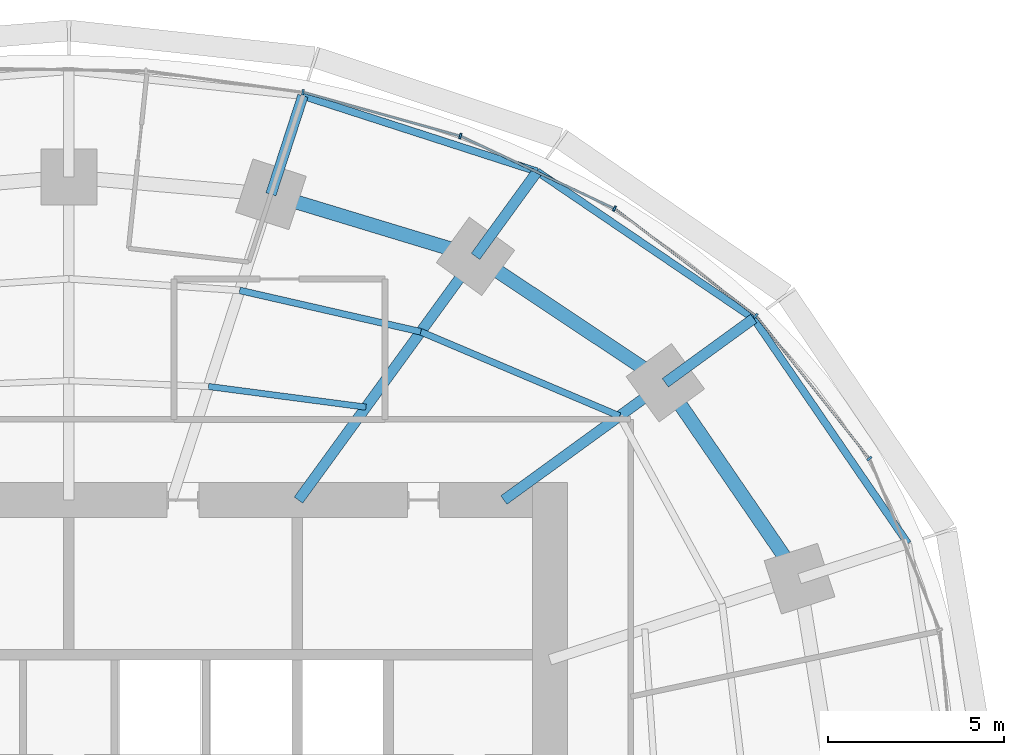
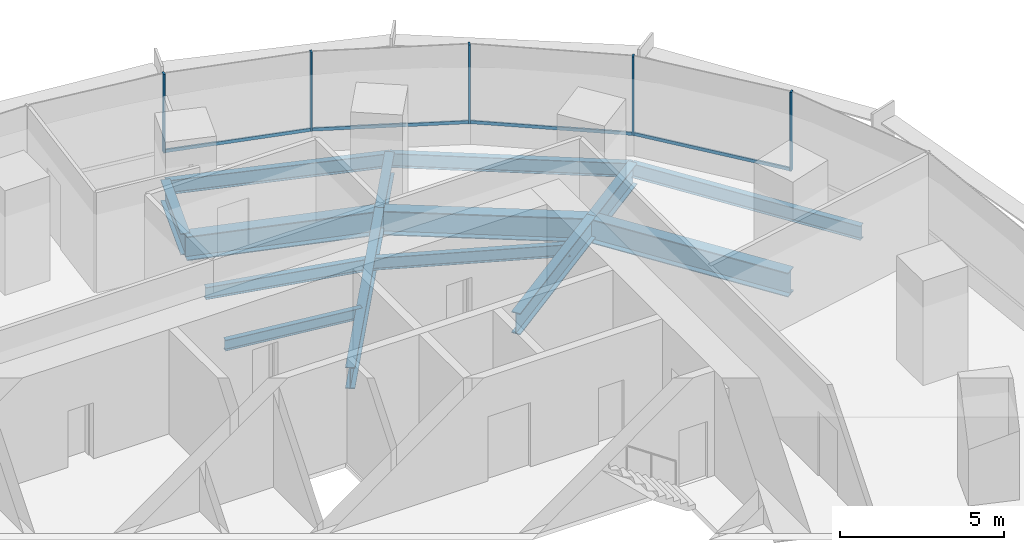
# One storey, part 8 of 14: 14 beams, 9 members, 2 elements without a shape of their own.
"""IFC4 building model written with IfcOpenShell, lengths in metres."""

from ifc_helpers import new_model, si_unit, direction, frame, origin, origin_2d, place, context, subcontext, project, spatial, rectangle, i_section, extrude, material, material_profile, profile_set, type_object, element, aggregate, save


model = new_model("IFC4")

# Units and contexts
model_context = context("Model", 3, precision=1e-05, world=origin(), true_north=direction((0.0, 1.0)))
body_context = subcontext(model_context, "Body", "Model", "MODEL_VIEW")
ifc_project = project(units=[si_unit("LENGTHUNIT", "METRE"), si_unit("AREAUNIT", "SQUARE_METRE"), si_unit("VOLUMEUNIT", "CUBIC_METRE"), si_unit("PLANEANGLEUNIT", "RADIAN"), si_unit("MASSUNIT", "GRAM", prefix="KILO")], contexts=[model_context])

# Site, building, storey
site_placement = place(None, origin())
site = spatial("IfcSite", under=ifc_project, at=site_placement, CompositionType="ELEMENT")
building_placement = place(site_placement, origin())
building = spatial("IfcBuilding", under=site, at=building_placement, Name="Marramba Exchange Tower", CompositionType="ELEMENT")
storey_placement = place(building_placement, frame((0.0, 0.0, 111.89990234375)))
storey = spatial("IfcBuildingStorey", under=building, at=storey_placement, Name="L26", CompositionType="ELEMENT", Elevation=111.89990234375)

# Beams
ifc_material_1 = material(Name="Steel AS/NZS 3679.2 grade 300", Category="steel")
ifc_material_profile_1 = material_profile(ifc_material_1, i_section(OverallWidth=0.300048828125, OverallDepth=0.800048828125, WebThickness=0.013916015625, FlangeThickness=0.031982421875, at=origin_2d()), Name="800WB192")
ifc_profile_set_1 = profile_set([ifc_material_profile_1], Name="Steel AS/NZS 3679.2 grade 300")
beam_type_1 = type_object("IfcBeamType", Name="Cantilever girder 800WB192", PredefinedType="BEAM", material=ifc_profile_set_1)
beam_1_placement = place(storey_placement, frame((16.98583984375, 12.3408203125, -0.559814453125), z_axis=(0.809013970709, 0.58778941399, 0.0), x_axis=(-0.58778941399, 0.809013970709, 0.0)))
element("IfcBeam", 1, at=beam_1_placement, inside=storey, type_object=beam_type_1, Name="Cantilever girder L26 TC03", PredefinedType="BEAM", context=body_context, shape_type="SweptSolid", body=[
    extrude(i_section(OverallWidth=0.300048828125, OverallDepth=0.800048828125, WebThickness=0.013916015625, FlangeThickness=0.031982421875, at=origin_2d()), origin(), (0.0, 0.0, 1.0), 3.1142578125),
])
beam_2_placement = place(storey_placement, frame((11.581298828125, 15.9404296875, -0.559814453125), z_axis=(0.587821738214, 0.808990484544, 0.0), x_axis=(-0.808990484544, 0.587821738214, 0.0)))
element("IfcBeam", 2, at=beam_2_placement, inside=storey, type_object=beam_type_1, Name="Cantilever girder L26 TC04", PredefinedType="BEAM", context=body_context, shape_type="SweptSolid", body=[
    extrude(i_section(OverallWidth=0.300048828125, OverallDepth=0.800048828125, WebThickness=0.013916015625, FlangeThickness=0.031982421875, at=origin_2d()), origin(), (0.0, 0.0, 1.0), 2.987060546875),
])
beam_3_placement = place(storey_placement, frame((5.75390625, 17.70849609375, -0.559814453125), z_axis=(0.309018704887, 0.951055960514, 0.0), x_axis=(-0.951055960514, 0.309018704887, 0.0)))
element("IfcBeam", 3, at=beam_3_placement, inside=storey, type_object=beam_type_1, Name="Cantilever girder L26 TC05", PredefinedType="BEAM", context=body_context, shape_type="SweptSolid", body=[
    extrude(i_section(OverallWidth=0.300048828125, OverallDepth=0.800048828125, WebThickness=0.013916015625, FlangeThickness=0.031982421875, at=origin_2d()), origin(), (0.0, 0.0, 1.0), 2.949951171875),
])
ifc_material_2 = material(Name="Steel AS/NZS 3679.1 grade 300", Category="steel")
ifc_material_profile_2 = material_profile(ifc_material_2, i_section(OverallWidth=0.177978515625, OverallDepth=0.406005859375, WebThickness=0.0078125, FlangeThickness=0.0126953125, FilletRadius=0.011474609375, at=origin_2d()), Name="410UB59.7")
ifc_profile_set_2 = profile_set([ifc_material_profile_2], Name="Steel AS/NZS 3679.1 grade 300")
beam_type_2 = type_object("IfcBeamType", Name="Floor joist 410UB59.7", PredefinedType="JOIST", material=ifc_profile_set_2)
beam_4_placement = place(storey_placement, frame((8.4619140625, 11.646728515625, -0.36279296875), z_axis=(-0.991480538255, 0.130254912618, 0.0), x_axis=(-0.130254912618, -0.991480538255, 0.0)))
element("IfcBeam", 4, at=beam_4_placement, inside=storey, type_object=beam_type_2, Name="Joist L26 bay 04 row 1", PredefinedType="JOIST", context=body_context, shape_type="SweptSolid", body=[
    extrude(i_section(OverallWidth=0.177978515625, OverallDepth=0.406005859375, WebThickness=0.0078125, FlangeThickness=0.0126953125, FilletRadius=0.011474609375, at=origin_2d()), origin(), (0.0, 0.0, 1.0), 4.524658203125),
])
ifc_material_profile_3 = material_profile(ifc_material_2, i_section(OverallWidth=0.18994140625, OverallDepth=0.4541015625, WebThickness=0.008544921875, FlangeThickness=0.0126953125, FilletRadius=0.011474609375, at=origin_2d()), Name="460UB67.1")
ifc_profile_set_3 = profile_set([ifc_material_profile_3], Name="Steel AS/NZS 3679.1 grade 300")
beam_type_3 = type_object("IfcBeamType", Name="Floor joist 460UB67.1", PredefinedType="JOIST", material=ifc_profile_set_3)
beam_5_placement = place(storey_placement, frame((15.682373046875, 11.393798828125, -0.386962890625), z_axis=(-0.920674336375, 0.390331610738, 0.0), x_axis=(-0.390331610738, -0.920674336375, 0.0)))
element("IfcBeam", 5, at=beam_5_placement, inside=storey, type_object=beam_type_3, Name="Joist L26 bay 03 row 2", PredefinedType="JOIST", context=body_context, shape_type="SweptSolid", body=[
    extrude(i_section(OverallWidth=0.18994140625, OverallDepth=0.4541015625, WebThickness=0.008544921875, FlangeThickness=0.0126953125, FilletRadius=0.011474609375, at=origin_2d()), origin(), (0.0, 0.0, 1.0), 6.1484375),
])
beam_6_placement = place(storey_placement, frame((10.021728515625, 13.793701171875, -0.386962890625), z_axis=(-0.974859652292, 0.222819788916, 0.0), x_axis=(-0.222819788916, -0.974859652292, 0.0)))
element("IfcBeam", 6, at=beam_6_placement, inside=storey, type_object=beam_type_3, Name="Joist L26 bay 04 row 2", PredefinedType="JOIST", context=body_context, shape_type="SweptSolid", body=[
    extrude(i_section(OverallWidth=0.18994140625, OverallDepth=0.4541015625, WebThickness=0.008544921875, FlangeThickness=0.0126953125, FilletRadius=0.011474609375, at=origin_2d()), origin(), (0.0, 0.0, 1.0), 5.2900390625),
])

# Curtain wall, members
ifc_material_3 = material(Name="Aluminium framing, bronze anodised", Category="aluminium")
curtain_wall_type = type_object("IfcCurtainWallType", Name="Office ribbon curtain wall", PredefinedType="USERDEFINED", material=ifc_material_3)
curtain_wall_1_placement = place(storey_placement, origin())
curtain_wall_1 = element("IfcCurtainWall", 7, at=curtain_wall_1_placement, inside=storey, type_object=curtain_wall_type, Name="Curtain wall CW4 L26 F01-F05", ObjectType="RIBBON CURTAIN WALL", PredefinedType="USERDEFINED")
ifc_material_4 = material(Name="Aluminium mullion, bronze anodised", Category="aluminium")
ifc_material_profile_4 = material_profile(ifc_material_4, rectangle(XDim=0.159912109375, YDim=0.06005859375, at=origin_2d()), Name="CW4 mullion 60x160")
ifc_profile_set_4 = profile_set([ifc_material_profile_4], Name="Aluminium mullion, bronze anodised")
member_type_1 = type_object("IfcMemberType", Name="Office ribbon curtain wall mullion", PredefinedType="MULLION", material=ifc_profile_set_4)
member_1_placement = place(storey_placement, frame((22.796630859375, 10.181640625, 0.800048828125), z_axis=(0.0, 0.0, 1.0), x_axis=(-0.783563266703, -0.621312004611, 0.0)))
member_1 = element("IfcMember", 8, at=member_1_placement, type_object=member_type_1, Name="CW4 mullion 1", PredefinedType="MULLION", context=body_context, shape_type="SweptSolid", body=[
    extrude(rectangle(XDim=0.159912109375, YDim=0.06005859375, at=origin_2d()), origin(), (0.0, 0.0, 1.0), 2.93994140625),
])
member_2_placement = place(storey_placement, frame((19.5625, 14.24853515625, 0.800048828125), z_axis=(0.0, 0.0, 1.0), x_axis=(-0.60533377223, -0.795971748366, 0.0)))
member_2 = element("IfcMember", 9, at=member_2_placement, type_object=member_type_1, Name="CW4 mullion 1", PredefinedType="MULLION", context=body_context, shape_type="SweptSolid", body=[
    extrude(rectangle(XDim=0.159912109375, YDim=0.06005859375, at=origin_2d()), origin(), (0.0, 0.0, 1.0), 2.93994140625),
])
member_3_placement = place(storey_placement, frame((15.538818359375, 17.300537109375, 0.800048828125), z_axis=(0.0, 0.0, 1.0), x_axis=(-0.426678995157, -0.904403137485, 0.0)))
member_3 = element("IfcMember", 10, at=member_3_placement, type_object=member_type_1, Name="CW4 mullion 1", PredefinedType="MULLION", context=body_context, shape_type="SweptSolid", body=[
    extrude(rectangle(XDim=0.159912109375, YDim=0.06005859375, at=origin_2d()), origin(), (0.0, 0.0, 1.0), 2.93994140625),
])

curtain_wall_2_placement = place(storey_placement, origin())
curtain_wall_2 = element("IfcCurtainWall", 11, at=curtain_wall_2_placement, inside=storey, type_object=curtain_wall_type, Name="Curtain wall CW4 L26 F06-F10", ObjectType="RIBBON CURTAIN WALL", PredefinedType="USERDEFINED")
member_4_placement = place(storey_placement, frame((11.147705078125, 19.366455078125, 0.800048828125), z_axis=(0.0, 0.0, 1.0), x_axis=(-0.268865090816, -0.963177845956, 0.0)))
member_4 = element("IfcMember", 12, at=member_4_placement, type_object=member_type_1, Name="CW4 mullion 1", PredefinedType="MULLION", context=body_context, shape_type="SweptSolid", body=[
    extrude(rectangle(XDim=0.159912109375, YDim=0.06005859375, at=origin_2d()), origin(), (0.0, 0.0, 1.0), 2.93994140625),
])
member_5_placement = place(storey_placement, frame((6.66650390625, 20.61328125, 0.800048828125), z_axis=(0.0, 0.0, 1.0), x_axis=(-0.135785837319, -0.990738212841, 0.0)))
member_5 = element("IfcMember", 13, at=member_5_placement, type_object=member_type_1, Name="CW4 mullion 1", PredefinedType="MULLION", context=body_context, shape_type="SweptSolid", body=[
    extrude(rectangle(XDim=0.159912109375, YDim=0.06005859375, at=origin_2d()), origin(), (0.0, 0.0, 1.0), 2.93994140625),
])

# Member
ifc_material_5 = material(Name="Aluminium transom, bronze anodised", Category="aluminium")
ifc_material_profile_5 = material_profile(ifc_material_5, rectangle(XDim=0.06005859375, YDim=0.1201171875, at=origin_2d()), Name="CW4 transom 60x120")
ifc_profile_set_5 = profile_set([ifc_material_profile_5], Name="Aluminium transom, bronze anodised")
member_type_2 = type_object("IfcMemberType", Name="Office ribbon curtain wall transom", PredefinedType="USERDEFINED", material=ifc_profile_set_5)
member_6_placement = place(storey_placement, frame((22.778076171875, 10.205078125, 0.830078125), z_axis=(-0.621339379472, 0.783541559534, 0.0), x_axis=(-0.783541559534, -0.621339379472, 0.0)))
member_6 = element("IfcMember", 14, at=member_6_placement, type_object=member_type_2, Name="CW4 sill transom", ObjectType="TRANSOM", PredefinedType="USERDEFINED", context=body_context, shape_type="SweptSolid", body=[
    extrude(rectangle(XDim=0.06005859375, YDim=0.1201171875, at=origin_2d()), origin(), (0.0, 0.0, 1.0), 5.13720703125),
])

member_7_placement = place(storey_placement, frame((19.53857421875, 14.2666015625, 0.830078125), z_axis=(-0.7959906025, 0.605308979556, 0.0), x_axis=(-0.605308979556, -0.7959906025, 0.0)))
member_7 = element("IfcMember", 15, at=member_7_placement, type_object=member_type_2, Name="CW4 sill transom", ObjectType="TRANSOM", PredefinedType="USERDEFINED", context=body_context, shape_type="SweptSolid", body=[
    extrude(rectangle(XDim=0.06005859375, YDim=0.1201171875, at=origin_2d()), origin(), (0.0, 0.0, 1.0), 4.99072265625),
])

member_8_placement = place(storey_placement, frame((15.51171875, 17.313232421875, 0.830078125), z_axis=(-0.904410826824, 0.426662696193, 0.0), x_axis=(-0.426662696193, -0.904410826824, 0.0)))
member_8 = element("IfcMember", 16, at=member_8_placement, type_object=member_type_2, Name="CW4 sill transom", ObjectType="TRANSOM", PredefinedType="USERDEFINED", context=body_context, shape_type="SweptSolid", body=[
    extrude(rectangle(XDim=0.06005859375, YDim=0.1201171875, at=origin_2d()), origin(), (0.0, 0.0, 1.0), 4.79345703125),
])

aggregate(curtain_wall_1, [member_1, member_6, member_2, member_7, member_3, member_8])

member_9_placement = place(storey_placement, frame((11.118896484375, 19.37451171875, 0.830078125), z_axis=(-0.963173567938, 0.268880415847, 0.0), x_axis=(-0.268880415847, -0.963173567938, 0.0)))
member_9 = element("IfcMember", 17, at=member_9_placement, type_object=member_type_2, Name="CW4 sill transom", ObjectType="TRANSOM", PredefinedType="USERDEFINED", context=body_context, shape_type="SweptSolid", body=[
    extrude(rectangle(XDim=0.06005859375, YDim=0.1201171875, at=origin_2d()), origin(), (0.0, 0.0, 1.0), 4.591796875),
])

aggregate(curtain_wall_2, [member_4, member_9, member_5])

# Beams
ifc_material_profile_6 = material_profile(ifc_material_1, i_section(OverallWidth=0.300048828125, OverallDepth=0.800048828125, WebThickness=0.013916015625, FlangeThickness=0.031982421875, at=origin_2d()), Name="800WB192")
ifc_profile_set_6 = profile_set([ifc_material_profile_6], Name="Steel AS/NZS 3679.2 grade 300")
beam_type_4 = type_object("IfcBeamType", Name="Radial girder 800WB192", PredefinedType="BEAM", material=ifc_profile_set_6)
beam_7_placement = place(storey_placement, frame((12.387451171875, 9.0, -0.559814453125), z_axis=(0.809025746925, 0.587773205252, 0.0), x_axis=(-0.587773205252, 0.809025746925, 0.0)))
element("IfcBeam", 18, at=beam_7_placement, inside=storey, type_object=beam_type_4, Name="Radial girder L26 TC03", PredefinedType="BEAM", context=body_context, shape_type="SweptSolid", body=[
    extrude(i_section(OverallWidth=0.300048828125, OverallDepth=0.800048828125, WebThickness=0.013916015625, FlangeThickness=0.031982421875, at=origin_2d()), origin(), (0.0, 0.0, 1.0), 5.683837890625),
])
beam_8_placement = place(storey_placement, frame((6.538818359375, 9.0, -0.559814453125), z_axis=(0.587782439969, 0.80901903764, 0.0), x_axis=(-0.80901903764, 0.587782439969, 0.0)))
element("IfcBeam", 19, at=beam_8_placement, inside=storey, type_object=beam_type_4, Name="Radial girder L26 TC04", PredefinedType="BEAM", context=body_context, shape_type="SweptSolid", body=[
    extrude(i_section(OverallWidth=0.300048828125, OverallDepth=0.800048828125, WebThickness=0.013916015625, FlangeThickness=0.031982421875, at=origin_2d()), origin(), (0.0, 0.0, 1.0), 8.578857421875),
])
ifc_material_profile_7 = material_profile(ifc_material_1, i_section(OverallWidth=0.39990234375, OverallDepth=0.89990234375, WebThickness=0.01611328125, FlangeThickness=0.031982421875, at=origin_2d()), Name="900WB282")
ifc_profile_set_7 = profile_set([ifc_material_profile_7], Name="Steel AS/NZS 3679.2 grade 300")
beam_type_5 = type_object("IfcBeamType", Name="Ring beam 900WB282", PredefinedType="SPANDREL", material=ifc_profile_set_7)
beam_9_placement = place(storey_placement, frame((20.808349609375, 6.760986328125, -0.60986328125), z_axis=(-0.56516002054, 0.824981303535, 0.0), x_axis=(-0.824981303535, -0.56516002054, 0.0)))
element("IfcBeam", 20, at=beam_9_placement, inside=storey, type_object=beam_type_5, Name="Ring beam L26 TC02-TC03", PredefinedType="SPANDREL", context=body_context, shape_type="SweptSolid", body=[
    extrude(i_section(OverallWidth=0.39990234375, OverallDepth=0.89990234375, WebThickness=0.01611328125, FlangeThickness=0.031982421875, at=origin_2d()), origin(), (0.0, 0.0, 1.0), 6.763671875),
])
beam_10_placement = place(storey_placement, frame((16.98583984375, 12.3408203125, -0.60986328125), z_axis=(-0.832293151443, 0.554335737673, 0.0), x_axis=(-0.554335737673, -0.832293151443, 0.0)))
element("IfcBeam", 21, at=beam_10_placement, inside=storey, type_object=beam_type_5, Name="Ring beam L26 TC03-TC04", PredefinedType="SPANDREL", context=body_context, shape_type="SweptSolid", body=[
    extrude(i_section(OverallWidth=0.39990234375, OverallDepth=0.89990234375, WebThickness=0.01611328125, FlangeThickness=0.031982421875, at=origin_2d()), origin(), (0.0, 0.0, 1.0), 6.49365234375),
])
beam_11_placement = place(storey_placement, frame((11.581298828125, 15.9404296875, -0.60986328125), z_axis=(-0.956924542524, 0.290336735387, 0.0), x_axis=(-0.290336735387, -0.956924542524, 0.0)))
element("IfcBeam", 22, at=beam_11_placement, inside=storey, type_object=beam_type_5, Name="Ring beam L26 TC04-TC05", PredefinedType="SPANDREL", context=body_context, shape_type="SweptSolid", body=[
    extrude(i_section(OverallWidth=0.39990234375, OverallDepth=0.89990234375, WebThickness=0.01611328125, FlangeThickness=0.031982421875, at=origin_2d()), origin(), (0.0, 0.0, 1.0), 6.089599609375),
])
ifc_material_profile_8 = material_profile(ifc_material_2, i_section(OverallWidth=0.208984375, OverallDepth=0.528076171875, WebThickness=0.009521484375, FlangeThickness=0.01318359375, FilletRadius=0.013916015625, at=origin_2d()), Name="530UB82.0")
ifc_profile_set_8 = profile_set([ifc_material_profile_8], Name="Steel AS/NZS 3679.1 grade 300")
beam_type_6 = type_object("IfcBeamType", Name="Slab edge beam 530UB82.0", PredefinedType="SPANDREL", material=ifc_profile_set_8)
beam_12_placement = place(storey_placement, frame((23.89501953125, 7.763916015625, -0.423828125), z_axis=(-0.56517400038, 0.824971726361, 0.0), x_axis=(-0.824971726361, -0.56517400038, 0.0)))
element("IfcBeam", 23, at=beam_12_placement, inside=storey, type_object=beam_type_6, Name="Slab edge beam L26 TC02-TC03", PredefinedType="SPANDREL", context=body_context, shape_type="SweptSolid", body=[
    extrude(i_section(OverallWidth=0.208984375, OverallDepth=0.528076171875, WebThickness=0.009521484375, FlangeThickness=0.01318359375, FilletRadius=0.013916015625, at=origin_2d()), origin(), (0.0, 0.0, 1.0), 7.766845703125),
])
beam_13_placement = place(storey_placement, frame((19.50537109375, 14.17138671875, -0.423828125), z_axis=(-0.827477404833, 0.561499015574, 0.0), x_axis=(-0.561499015574, -0.827477404833, 0.0)))
element("IfcBeam", 24, at=beam_13_placement, inside=storey, type_object=beam_type_6, Name="Slab edge beam L26 TC03-TC04", PredefinedType="SPANDREL", context=body_context, shape_type="SweptSolid", body=[
    extrude(i_section(OverallWidth=0.208984375, OverallDepth=0.528076171875, WebThickness=0.009521484375, FlangeThickness=0.01318359375, FilletRadius=0.013916015625, at=origin_2d()), origin(), (0.0, 0.0, 1.0), 7.454345703125),
])
beam_14_placement = place(storey_placement, frame((13.337158203125, 18.35693359375, -0.423828125), z_axis=(-0.951496392577, 0.307659901373, 0.0), x_axis=(-0.307659901373, -0.951496392577, 0.0)))
element("IfcBeam", 25, at=beam_14_placement, inside=storey, type_object=beam_type_6, Name="Slab edge beam L26 TC04-TC05", PredefinedType="SPANDREL", context=body_context, shape_type="SweptSolid", body=[
    extrude(i_section(OverallWidth=0.208984375, OverallDepth=0.528076171875, WebThickness=0.009521484375, FlangeThickness=0.01318359375, FilletRadius=0.013916015625, at=origin_2d()), origin(), (0.0, 0.0, 1.0), 7.01171875),
])

save(model, "model.ifc")
